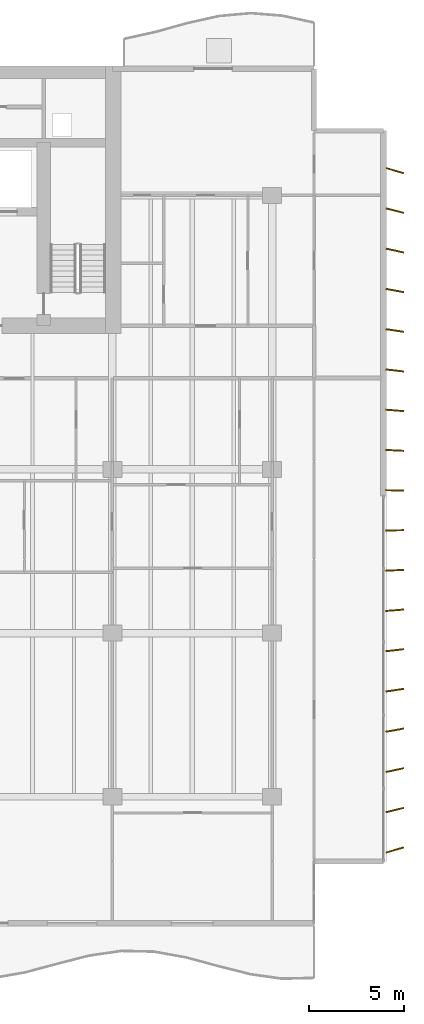
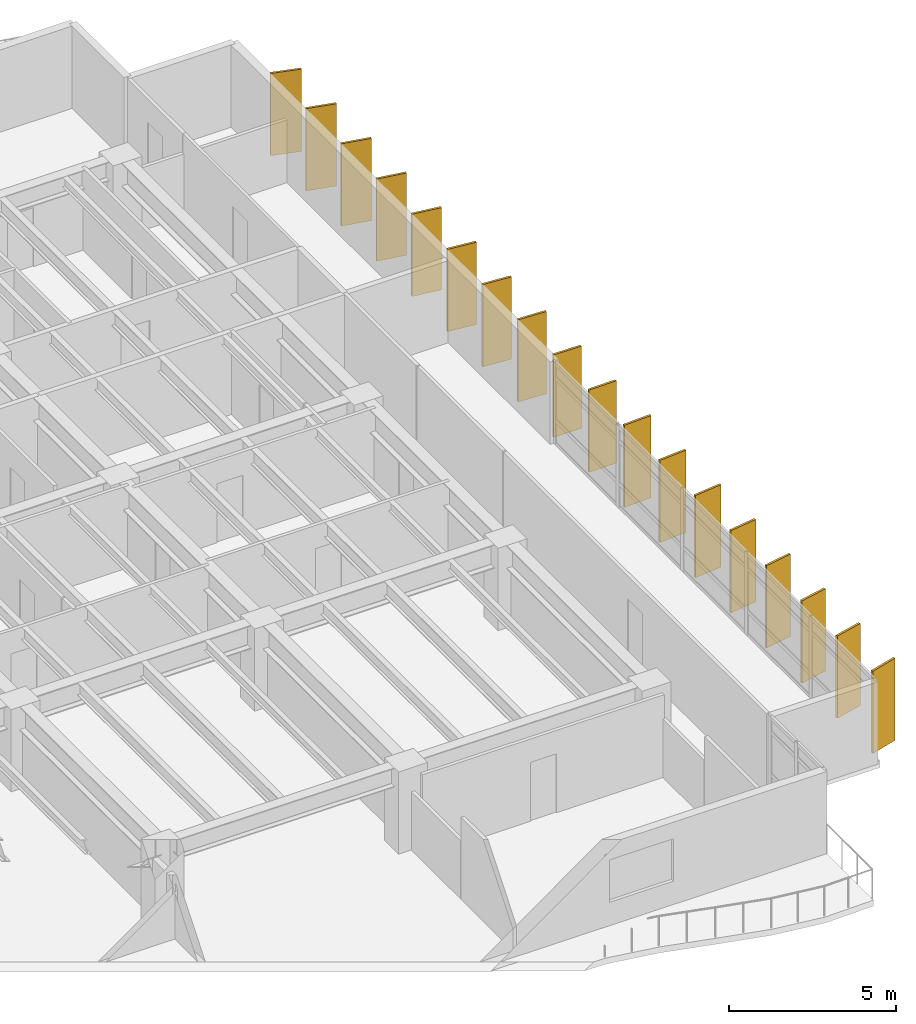
# One storey, part 16 of 16: 18 shading devices.
"""IFC4 building model written with IfcOpenShell, lengths in metres."""

import ifcopenshell
import ifcopenshell.guid

model = None  # the IFC model being written
_history = None  # IfcOwnerHistory: only IFC2X3 demands one
_inside = {}  # id of a spatial element -> (the spatial element, [elements in it])
_under = {}  # id of a project, library or spatial element -> (it, [spatial elements below it])
_declared = {}  # id of a project -> (the project, [libraries it declares])
_typed = {}  # id of a type object -> (the type object, [elements of that type])
_made_of = {}  # id of a material, layer set ... -> (it, [elements and type objects made of it])


def new_model(schema):
    """Start an empty IFC model of exactly this schema.

    Asked for "IFC4X3", IfcOpenShell would pick the latest addendum, in which some entities
    have other attributes; the version numbers below select the first issue.
    IFC2X3 requires an IfcOwnerHistory on every rooted entity: one is made here for all.
    """
    global model, _history
    if schema == "IFC4X3":
        model = ifcopenshell.file(schema_version=(4, 3, 0, 0))
    else:
        model = ifcopenshell.file(schema=schema)
    _inside.clear()
    _under.clear()
    _declared.clear()
    _typed.clear()
    _made_of.clear()
    _history = None
    if model.schema == "IFC2X3":
        org = make("IfcOrganization", Name="unknown")
        user = make(
            "IfcPersonAndOrganization",
            ThePerson=make("IfcPerson", FamilyName="unknown"),
            TheOrganization=org,
        )
        app = make(
            "IfcApplication",
            ApplicationDeveloper=org,
            Version="unknown",
            ApplicationFullName="unknown",
            ApplicationIdentifier="unknown",
        )
        _history = make(
            "IfcOwnerHistory",
            OwningUser=user,
            OwningApplication=app,
            ChangeAction="ADDED",
            CreationDate=0,
        )
    return model


def make(cls, **values):
    """One entity of the class cls with the attributes given. An attribute that is None is left unset."""
    return model.create_entity(
        cls, **{name: value for name, value in values.items() if value is not None}
    )


def rooted(cls, **values):
    """An entity with a GlobalId (a new one), such as an element, a storey or a relation."""
    return make(cls, GlobalId=ifcopenshell.guid.new(), OwnerHistory=_history, **values)


def si_unit(unit_type, name, prefix=None):
    """IfcSIUnit, for example si_unit("LENGTHUNIT", "METRE", prefix="MILLI")."""
    return make("IfcSIUnit", UnitType=unit_type, Prefix=prefix, Name=name)


def assignment(units):
    """IfcUnitAssignment: the units of a project."""
    return None if units is None else make("IfcUnitAssignment", Units=units)


def point(xyz):
    """IfcCartesianPoint."""
    return None if xyz is None else make("IfcCartesianPoint", Coordinates=xyz)


def direction(xyz):
    """IfcDirection."""
    return None if xyz is None else make("IfcDirection", DirectionRatios=xyz)


def frame(location, z_axis=None, x_axis=None):
    """IfcAxis2Placement3D, a coordinate frame: its origin and axes. An axis left out is left unset."""
    return make(
        "IfcAxis2Placement3D",
        Location=point(location),
        Axis=direction(z_axis),
        RefDirection=direction(x_axis),
    )


def frame_2d(location, x_axis=None):
    """IfcAxis2Placement2D, a coordinate frame in the plane: its origin and x axis."""
    return make(
        "IfcAxis2Placement2D", Location=point(location), RefDirection=direction(x_axis)
    )


def origin():
    """The frame at (0, 0, 0) with its axes left unset."""
    return frame((0.0, 0.0, 0.0))


def origin_2d():
    """The frame at (0, 0) in the plane with its x axis left unset."""
    return frame_2d((0.0, 0.0))


def place(relative_to, where):
    """IfcLocalPlacement: puts the frame where relative to a parent placement (None: the world)."""
    return make(
        "IfcLocalPlacement", PlacementRelTo=relative_to, RelativePlacement=where
    )


def context(
    kind, dimensions, precision=None, world=None, true_north=None, identifier=None
):
    """IfcGeometricRepresentationContext, for example the 3D "Model" context."""
    return make(
        "IfcGeometricRepresentationContext",
        ContextIdentifier=identifier,
        ContextType=kind,
        CoordinateSpaceDimension=dimensions,
        Precision=precision,
        WorldCoordinateSystem=world,
        TrueNorth=true_north,
    )


def subcontext(parent, identifier, kind, view, scale=None):
    """IfcGeometricRepresentationSubContext, for example "Body" below "Model"."""
    return make(
        "IfcGeometricRepresentationSubContext",
        ContextIdentifier=identifier,
        ContextType=kind,
        ParentContext=parent,
        TargetScale=scale,
        TargetView=view,
    )


def project(units=None, contexts=None):
    """IfcProject with its units and contexts."""
    return rooted(
        "IfcProject",
        Name="project",
        RepresentationContexts=contexts,
        UnitsInContext=assignment(units),
    )


def spatial(cls, under=None, at=None, **own):
    """A site, building, storey or space (cls), placed at a placement, below another one or the project."""
    s = rooted(cls, ObjectPlacement=at, **own)
    if under is not None:
        _under.setdefault(under.id(), (under, []))[1].append(s)
    return s


def profile(cls, at=None, kind="AREA", **sizes):
    """A parametric profile (cls). Its sizes go by their IFC names, for example OverallWidth=200.0."""
    return make(cls, ProfileType=kind, Position=at, **sizes)


def rectangle(**sizes):
    """IfcRectangleProfileDef."""
    return profile("IfcRectangleProfileDef", **sizes)


def extrude(swept, where, along, depth):
    """IfcExtrudedAreaSolid: the profile swept, set in the frame where, extruded along a direction by depth."""
    return make(
        "IfcExtrudedAreaSolid",
        SweptArea=swept,
        Position=where,
        ExtrudedDirection=direction(along),
        Depth=depth,
    )


def shape(context_of_items, identifier, shape_type, items):
    """IfcShapeRepresentation: the items that make up one representation, for example the "Body"."""
    return make(
        "IfcShapeRepresentation",
        ContextOfItems=context_of_items,
        RepresentationIdentifier=identifier,
        RepresentationType=shape_type,
        Items=items,
    )


def material(Name=None, Category=None):
    """IfcMaterial."""
    return make("IfcMaterial", Name=Name, Category=Category)


def material_profile(
    of_material, cross_section, Name=None, Category=None, Priority=None
):
    """IfcMaterialProfile: a cross section and its material."""
    return make(
        "IfcMaterialProfile",
        Name=Name,
        Material=of_material,
        Profile=cross_section,
        Priority=Priority,
        Category=Category,
    )


def profile_set(profiles, Name=None, composite=None):
    """IfcMaterialProfileSet."""
    return make(
        "IfcMaterialProfileSet",
        Name=Name,
        MaterialProfiles=profiles,
        CompositeProfile=composite,
    )


def made_of(thing, what):
    """Note that an element or type object is made of a material, layer set ...; save() writes the relation."""
    if what is not None:
        _made_of.setdefault(what.id(), (what, []))[1].append(thing)
    return thing


def type_object(cls, material=None, **own):
    """A type object (cls), such as IfcWallType, which elements share."""
    return made_of(rooted(cls, **own), material)


def element(
    cls,
    number,
    at=None,
    inside=None,
    cuts=None,
    type_object=None,
    material=None,
    context=None,
    identifier="Body",
    shape_type=None,
    held_by="IfcProductDefinitionShape",
    body=None,
    shapes=None,
    **own,
):
    """One element of the class cls, such as IfcWall. Its Tag is "e" and its number.

    at: its placement. inside: the storey or other place that contains it. cuts: it is an
    opening in that element (IfcRelVoidsElement). A single representation is given by context,
    identifier, shape_type and body (its items); several are given by shapes. held_by: the class
    of the entity that holds the representations. save() writes the other relations.
    """
    e = rooted(cls, Tag="e%d" % number, ObjectPlacement=at, **own)
    if body is not None:
        shapes = [shape(context, identifier, shape_type, body)]
    if shapes is not None:
        e.Representation = make(held_by, Representations=shapes)
    if inside is not None:
        _inside.setdefault(inside.id(), (inside, []))[1].append(e)
    if cuts is not None:
        rooted(
            "IfcRelVoidsElement", RelatingBuildingElement=cuts, RelatedOpeningElement=e
        )
    if type_object is not None:
        _typed.setdefault(type_object.id(), (type_object, []))[1].append(e)
    return made_of(e, material)


def aggregate(whole, parts):
    """IfcRelAggregates: a whole, such as a stair, and the parts it consists of."""
    return rooted("IfcRelAggregates", RelatingObject=whole, RelatedObjects=parts)


def save(model, path):
    """Write the relations noted so far, then the file.

    IfcRelAggregates (storeys below a building ...), IfcRelContainedInSpatialStructure (elements
    in a storey), IfcRelDefinesByType, IfcRelAssociatesMaterial and IfcRelDeclares: one each for
    every whole, place, type object, material and project.
    """
    for whole, parts in _under.values():
        aggregate(whole, parts)
    for where, things in _inside.values():
        rooted(
            "IfcRelContainedInSpatialStructure",
            RelatedElements=things,
            RelatingStructure=where,
        )
    for kind, things in _typed.values():
        rooted("IfcRelDefinesByType", RelatedObjects=things, RelatingType=kind)
    for what, things in _made_of.values():
        rooted("IfcRelAssociatesMaterial", RelatedObjects=things, RelatingMaterial=what)
    for by, libraries in _declared.values():
        rooted("IfcRelDeclares", RelatingContext=by, RelatedDefinitions=libraries)
    model.write(path)


model = new_model("IFC4")

# Units and contexts
model_context = context("Model", 3, precision=1e-05, world=origin(), true_north=direction((0.0, 1.0)))
body_context = subcontext(model_context, "Body", "Model", "MODEL_VIEW")
ifc_project = project(units=[si_unit("LENGTHUNIT", "METRE"), si_unit("AREAUNIT", "SQUARE_METRE"), si_unit("VOLUMEUNIT", "CUBIC_METRE"), si_unit("PLANEANGLEUNIT", "RADIAN"), si_unit("MASSUNIT", "GRAM", prefix="KILO")], contexts=[model_context])

# Site, building, storey
site_placement = place(None, origin())
site = spatial("IfcSite", under=ifc_project, at=site_placement, CompositionType="ELEMENT")
building_placement = place(site_placement, origin())
building = spatial("IfcBuilding", under=site, at=building_placement, Name="Caelmar Bay Residences", CompositionType="ELEMENT")
storey_placement = place(building_placement, frame((0.0, 0.0, 148.800048828125)))
storey = spatial("IfcBuildingStorey", under=building, at=storey_placement, Name="L41", CompositionType="ELEMENT", Elevation=148.800048828125)

# Shading devices
ifc_material = material(Name="Anodised architectural bronze aluminium 6063-T6", Category="aluminium")
ifc_material_profile = material_profile(ifc_material, rectangle(XDim=0.074951171875, YDim=0.949951171875, at=origin_2d()), Name="BRONZE-FIN-75X950")
ifc_profile_set = profile_set([ifc_material_profile], Name="Anodised architectural bronze aluminium 6063-T6")
shading_device_type = type_object("IfcShadingDeviceType", Name="SHD-FIN-950", PredefinedType="USERDEFINED", material=ifc_profile_set)
for number, where, z_axis, x_axis, name in (
    (1, (74.35009765625, 9.39990234375, 0.0), (0.0, 0.0, 1.0), (-0.275637355817, 0.961261695938, 0.0), "L41 East Bronze Solar Fin 1"),
    (2, (74.35009765625, 11.5, 0.0), (0.0, 0.0, 1.0), (-0.243953546137, 0.969786918517, 0.0), "L41 East Bronze Solar Fin 2"),
    (3, (74.35009765625, 13.60009765625, 0.0), (0.0, 0.0, 1.0), (-0.212007109922, 0.977268123568, 0.0), "L41 East Bronze Solar Fin 3"),
    (4, (74.35009765625, 15.699951171875, 0.0), (0.0, 0.0, 1.0), (-0.179660748593, 0.98372862895, 0.0), "L41 East Bronze Solar Fin 4"),
    (5, (74.35009765625, 17.800048828125, 0.0), (0.0, 0.0, 1.0), (-0.147291543397, 0.989093120613, 0.0), "L41 East Bronze Solar Fin 5"),
    (6, (74.35009765625, 19.89990234375, 0.0), (0.0, 0.0, 1.0), (-0.114763772489, 0.993392810787, 0.0), "L41 East Bronze Solar Fin 6"),
    (7, (74.35009765625, 22.0, 0.0), (0.0, 0.0, 1.0), (-0.08211245342, 0.996623070671, 0.0), "L41 East Bronze Solar Fin 7"),
    (8, (74.35009765625, 24.10009765625, 0.0), (0.0, 0.0, 1.0), (-0.049198415926, 0.998789024705, 0.0), "L41 East Bronze Solar Fin 8"),
    (9, (74.35009765625, 26.199951171875, 0.0), (0.0, 0.0, 1.0), (-0.016405359001, 0.999865423043, 0.0), "L41 East Bronze Solar Fin 9"),
    (10, (74.35009765625, 28.300048828125, 0.0), (0.0, 0.0, 1.0), (0.016405359001, 0.999865423043, 0.0), "L41 East Bronze Solar Fin 10"),
    (11, (74.35009765625, 30.39990234375, 0.0), (0.0, 0.0, 1.0), (0.049198415926, 0.998789024705, 0.0), "L41 East Bronze Solar Fin 11"),
    (12, (74.35009765625, 32.5, 0.0), (0.0, 0.0, 1.0), (0.08211245342, 0.996623070671, 0.0), "L41 East Bronze Solar Fin 12"),
    (13, (74.35009765625, 34.60009765625, 0.0), (0.0, 0.0, 1.0), (0.114763772489, 0.993392810787, 0.0), "L41 East Bronze Solar Fin 13"),
    (14, (74.35009765625, 36.699951171875, 0.0), (0.0, 0.0, 1.0), (0.147291543397, 0.989093120613, 0.0), "L41 East Bronze Solar Fin 14"),
    (15, (74.35009765625, 38.800048828125, 0.0), (0.0, 0.0, 1.0), (0.179660748593, 0.98372862895, 0.0), "L41 East Bronze Solar Fin 15"),
    (16, (74.35009765625, 40.89990234375, 0.0), (0.0, 0.0, 1.0), (0.212007109922, 0.977268123568, 0.0), "L41 East Bronze Solar Fin 16"),
    (17, (74.35009765625, 43.0, 0.0), (0.0, 0.0, 1.0), (0.243953546137, 0.969786918517, 0.0), "L41 East Bronze Solar Fin 17"),
    (18, (74.35009765625, 45.10009765625, 0.0), (0.0, 0.0, 1.0), (0.275637355817, 0.961261695938, 0.0), "L41 East Bronze Solar Fin 18"),
):
    element("IfcShadingDevice", number, at=place(storey_placement, frame(where, z_axis=z_axis, x_axis=x_axis)), inside=storey, type_object=shading_device_type, Name=name, ObjectType="FIN", PredefinedType="USERDEFINED", context=body_context, shape_type="SweptSolid", body=[
        extrude(rectangle(XDim=0.074951171875, YDim=0.949951171875, at=origin_2d()), origin(), (0.0, 0.0, 1.0), 3.0),
    ])

save(model, "model.ifc")
